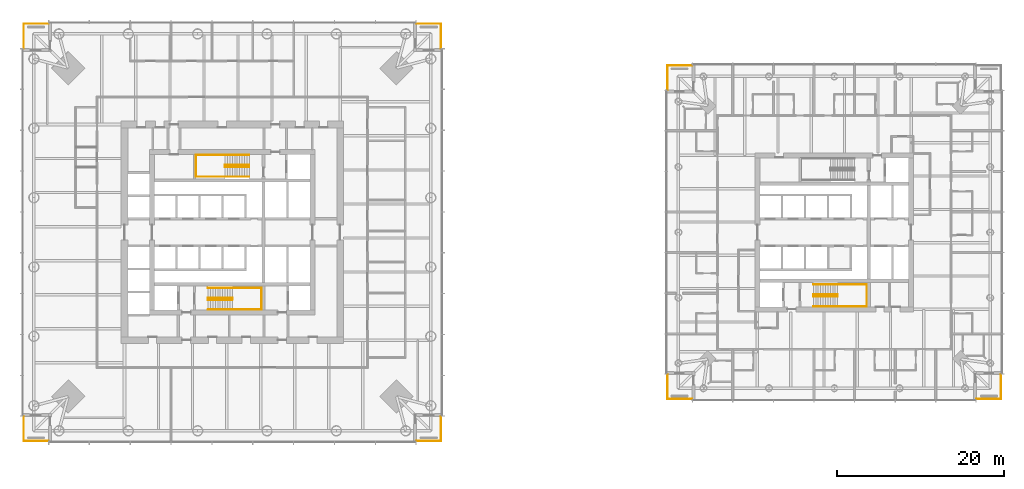
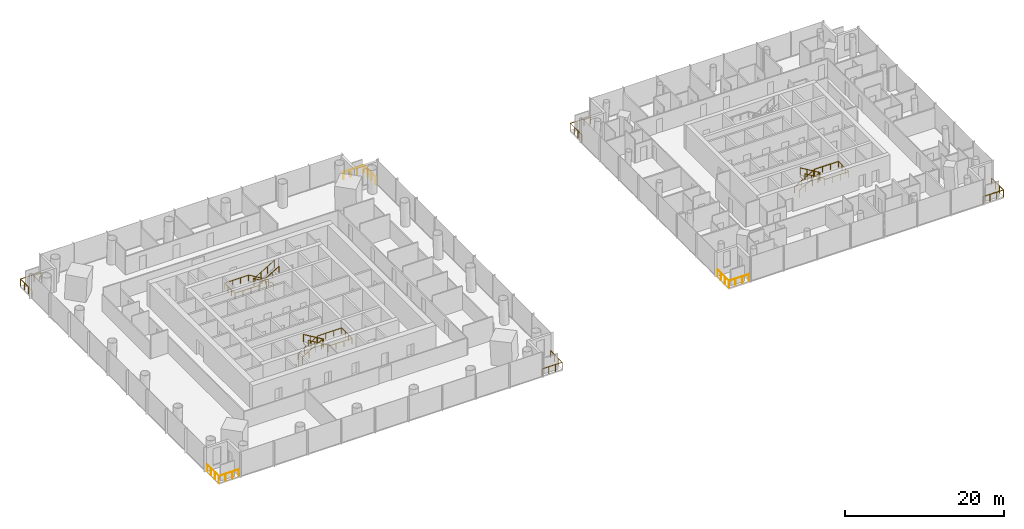
# One storey, part 19 of 20: 13 railings.
"""IFC4 building model written with IfcOpenShell, lengths in metres."""

from ifc_helpers import new_model, si_unit, direction, frame, origin, origin_2d, place, context, subcontext, project, spatial, circle, extrude, material, type_object, element, save


model = new_model("IFC4")

# Units and contexts
model_context = context("Model", 3, precision=1e-05, world=origin(), true_north=direction((0.0, 1.0)))
body_context = subcontext(model_context, "Body", "Model", "MODEL_VIEW")
ifc_project = project(units=[si_unit("LENGTHUNIT", "METRE"), si_unit("AREAUNIT", "SQUARE_METRE"), si_unit("VOLUMEUNIT", "CUBIC_METRE"), si_unit("PLANEANGLEUNIT", "RADIAN"), si_unit("MASSUNIT", "GRAM", prefix="KILO")], contexts=[model_context])

# Site, building, storey
site_placement = place(None, origin())
site = spatial("IfcSite", under=ifc_project, at=site_placement, CompositionType="ELEMENT")
building_placement = place(site_placement, origin())
building = spatial("IfcBuilding", under=site, at=building_placement, Name="Ostroluk Exchange", CompositionType="ELEMENT")
storey_placement = place(building_placement, frame((0.0, 0.0, 28.60009765625)))
storey = spatial("IfcBuildingStorey", under=building, at=storey_placement, Name="L06", CompositionType="ELEMENT", Elevation=28.60009765625)

# Railings
ifc_material_1 = material(Name="Stainless steel", Category="steel")
railing_type_1 = type_object("IfcRailingType", Name="Guard 1100 stainless steel", PredefinedType="GUARDRAIL", material=ifc_material_1)
railing_1_placement = place(storey_placement, frame((67.0, 21.050048828125, 0.0)))
element("IfcRailing", 1, at=railing_1_placement, inside=storey, type_object=railing_type_1, Name="Office tower SE balcony guard L06", PredefinedType="GUARDRAIL", context=body_context, shape_type="SweptSolid", body=[
    extrude(circle(Radius=0.02392578125, at=origin_2d()), frame((0.0, 0.0, 1.076171875), z_axis=(1.0, 0.0, 0.0), x_axis=(0.0, 1.0, 0.0)), (0.0, 0.0, 1.0), 2.949951171875),
    extrude(circle(Radius=0.02392578125, at=origin_2d()), frame((2.949951171875, 0.0, 1.076171875), z_axis=(0.0, 1.0, 0.0), x_axis=(-1.0, 0.0, 0.0)), (0.0, 0.0, 1.0), 2.949951171875),
    extrude(circle(Radius=0.02099609375, at=origin_2d()), origin(), (0.0, 0.0, 1.0), 1.052001953125),
    extrude(circle(Radius=0.02099609375, at=origin_2d()), frame((0.9833984375, 0.0, 0.0)), (0.0, 0.0, 1.0), 1.052001953125),
    extrude(circle(Radius=0.02099609375, at=origin_2d()), frame((1.966552734375, 0.0, 0.0)), (0.0, 0.0, 1.0), 1.052001953125),
    extrude(circle(Radius=0.02099609375, at=origin_2d()), frame((2.949951171875, 0.0, 0.0)), (0.0, 0.0, 1.0), 1.052001953125),
    extrude(circle(Radius=0.02099609375, at=origin_2d()), frame((2.949951171875, 0.9833984375, 0.0)), (0.0, 0.0, 1.0), 1.052001953125),
    extrude(circle(Radius=0.02099609375, at=origin_2d()), frame((2.949951171875, 1.966552734375, 0.0)), (0.0, 0.0, 1.0), 1.052001953125),
    extrude(circle(Radius=0.02099609375, at=origin_2d()), frame((2.949951171875, 2.949951171875, 0.0)), (0.0, 0.0, 1.0), 1.052001953125),
])
railing_2_placement = place(storey_placement, frame((67.0, 70.949951171875, 0.0)))
element("IfcRailing", 2, at=railing_2_placement, inside=storey, type_object=railing_type_1, Name="Office tower NE balcony guard L06", PredefinedType="GUARDRAIL", context=body_context, shape_type="SweptSolid", body=[
    extrude(circle(Radius=0.02392578125, at=origin_2d()), frame((0.0, 0.0, 1.076171875), z_axis=(1.0, 0.0, 0.0), x_axis=(0.0, 1.0, 0.0)), (0.0, 0.0, 1.0), 2.949951171875),
    extrude(circle(Radius=0.02392578125, at=origin_2d()), frame((2.949951171875, 0.0, 1.076171875), z_axis=(0.0, -1.0, 0.0), x_axis=(1.0, 0.0, 0.0)), (0.0, 0.0, 1.0), 2.949951171875),
    extrude(circle(Radius=0.02099609375, at=origin_2d()), origin(), (0.0, 0.0, 1.0), 1.052001953125),
    extrude(circle(Radius=0.02099609375, at=origin_2d()), frame((0.9833984375, 0.0, 0.0)), (0.0, 0.0, 1.0), 1.052001953125),
    extrude(circle(Radius=0.02099609375, at=origin_2d()), frame((1.966552734375, 0.0, 0.0)), (0.0, 0.0, 1.0), 1.052001953125),
    extrude(circle(Radius=0.02099609375, at=origin_2d()), frame((2.949951171875, 0.0, 0.0)), (0.0, 0.0, 1.0), 1.052001953125),
    extrude(circle(Radius=0.02099609375, at=origin_2d()), frame((2.949951171875, -0.9833984375, 0.0)), (0.0, 0.0, 1.0), 1.052001953125),
    extrude(circle(Radius=0.02099609375, at=origin_2d()), frame((2.949951171875, -1.966552734375, 0.0)), (0.0, 0.0, 1.0), 1.052001953125),
    extrude(circle(Radius=0.02099609375, at=origin_2d()), frame((2.949951171875, -2.949951171875, 0.0)), (0.0, 0.0, 1.0), 1.052001953125),
])
railing_3_placement = place(storey_placement, frame((23.0, 70.949951171875, 0.0)))
element("IfcRailing", 3, at=railing_3_placement, inside=storey, type_object=railing_type_1, Name="Office tower NW balcony guard L06", PredefinedType="GUARDRAIL", context=body_context, shape_type="SweptSolid", body=[
    extrude(circle(Radius=0.02392578125, at=origin_2d()), frame((0.0, 0.0, 1.076171875), z_axis=(-1.0, 0.0, 0.0), x_axis=(0.0, -1.0, 0.0)), (0.0, 0.0, 1.0), 2.949951171875),
    extrude(circle(Radius=0.02392578125, at=origin_2d()), frame((-2.949951171875, 0.0, 1.076171875), z_axis=(0.0, -1.0, 0.0), x_axis=(1.0, 0.0, 0.0)), (0.0, 0.0, 1.0), 2.949951171875),
    extrude(circle(Radius=0.02099609375, at=origin_2d()), origin(), (0.0, 0.0, 1.0), 1.052001953125),
    extrude(circle(Radius=0.02099609375, at=origin_2d()), frame((-0.9833984375, 0.0, 0.0)), (0.0, 0.0, 1.0), 1.052001953125),
    extrude(circle(Radius=0.02099609375, at=origin_2d()), frame((-1.966552734375, 0.0, 0.0)), (0.0, 0.0, 1.0), 1.052001953125),
    extrude(circle(Radius=0.02099609375, at=origin_2d()), frame((-2.949951171875, 0.0, 0.0)), (0.0, 0.0, 1.0), 1.052001953125),
    extrude(circle(Radius=0.02099609375, at=origin_2d()), frame((-2.949951171875, -0.9833984375, 0.0)), (0.0, 0.0, 1.0), 1.052001953125),
    extrude(circle(Radius=0.02099609375, at=origin_2d()), frame((-2.949951171875, -1.966552734375, 0.0)), (0.0, 0.0, 1.0), 1.052001953125),
    extrude(circle(Radius=0.02099609375, at=origin_2d()), frame((-2.949951171875, -2.949951171875, 0.0)), (0.0, 0.0, 1.0), 1.052001953125),
])
railing_4_placement = place(storey_placement, frame((23.0, 21.050048828125, 0.0)))
element("IfcRailing", 4, at=railing_4_placement, inside=storey, type_object=railing_type_1, Name="Office tower SW balcony guard L06", PredefinedType="GUARDRAIL", context=body_context, shape_type="SweptSolid", body=[
    extrude(circle(Radius=0.02392578125, at=origin_2d()), frame((0.0, 0.0, 1.076171875), z_axis=(-1.0, 0.0, 0.0), x_axis=(0.0, -1.0, 0.0)), (0.0, 0.0, 1.0), 2.949951171875),
    extrude(circle(Radius=0.02392578125, at=origin_2d()), frame((-2.949951171875, 0.0, 1.076171875), z_axis=(0.0, 1.0, 0.0), x_axis=(-1.0, 0.0, 0.0)), (0.0, 0.0, 1.0), 2.949951171875),
    extrude(circle(Radius=0.02099609375, at=origin_2d()), origin(), (0.0, 0.0, 1.0), 1.052001953125),
    extrude(circle(Radius=0.02099609375, at=origin_2d()), frame((-0.9833984375, 0.0, 0.0)), (0.0, 0.0, 1.0), 1.052001953125),
    extrude(circle(Radius=0.02099609375, at=origin_2d()), frame((-1.966552734375, 0.0, 0.0)), (0.0, 0.0, 1.0), 1.052001953125),
    extrude(circle(Radius=0.02099609375, at=origin_2d()), frame((-2.949951171875, 0.0, 0.0)), (0.0, 0.0, 1.0), 1.052001953125),
    extrude(circle(Radius=0.02099609375, at=origin_2d()), frame((-2.949951171875, 0.9833984375, 0.0)), (0.0, 0.0, 1.0), 1.052001953125),
    extrude(circle(Radius=0.02099609375, at=origin_2d()), frame((-2.949951171875, 1.966552734375, 0.0)), (0.0, 0.0, 1.0), 1.052001953125),
    extrude(circle(Radius=0.02099609375, at=origin_2d()), frame((-2.949951171875, 2.949951171875, 0.0)), (0.0, 0.0, 1.0), 1.052001953125),
])
railing_5_placement = place(storey_placement, frame((134.0, 26.050048828125, 0.0)))
element("IfcRailing", 5, at=railing_5_placement, inside=storey, type_object=railing_type_1, Name="Hotel tower SE balcony guard L06", PredefinedType="GUARDRAIL", context=body_context, shape_type="SweptSolid", body=[
    extrude(circle(Radius=0.02392578125, at=origin_2d()), frame((0.0, 0.0, 1.076171875), z_axis=(1.0, 0.0, 0.0), x_axis=(0.0, 1.0, 0.0)), (0.0, 0.0, 1.0), 2.949951171875),
    extrude(circle(Radius=0.02392578125, at=origin_2d()), frame((2.949951171875, 0.0, 1.076171875), z_axis=(0.0, 1.0, 0.0), x_axis=(-1.0, 0.0, 0.0)), (0.0, 0.0, 1.0), 2.949951171875),
    extrude(circle(Radius=0.02099609375, at=origin_2d()), origin(), (0.0, 0.0, 1.0), 1.052001953125),
    extrude(circle(Radius=0.02099609375, at=origin_2d()), frame((0.9833984375, 0.0, 0.0)), (0.0, 0.0, 1.0), 1.052001953125),
    extrude(circle(Radius=0.02099609375, at=origin_2d()), frame((1.966552734375, 0.0, 0.0)), (0.0, 0.0, 1.0), 1.052001953125),
    extrude(circle(Radius=0.02099609375, at=origin_2d()), frame((2.949951171875, 0.0, 0.0)), (0.0, 0.0, 1.0), 1.052001953125),
    extrude(circle(Radius=0.02099609375, at=origin_2d()), frame((2.949951171875, 0.9833984375, 0.0)), (0.0, 0.0, 1.0), 1.052001953125),
    extrude(circle(Radius=0.02099609375, at=origin_2d()), frame((2.949951171875, 1.966552734375, 0.0)), (0.0, 0.0, 1.0), 1.052001953125),
    extrude(circle(Radius=0.02099609375, at=origin_2d()), frame((2.949951171875, 2.949951171875, 0.0)), (0.0, 0.0, 1.0), 1.052001953125),
])
railing_6_placement = place(storey_placement, frame((100.0, 65.949951171875, 0.0)))
element("IfcRailing", 6, at=railing_6_placement, inside=storey, type_object=railing_type_1, Name="Hotel tower NW balcony guard L06", PredefinedType="GUARDRAIL", context=body_context, shape_type="SweptSolid", body=[
    extrude(circle(Radius=0.02392578125, at=origin_2d()), frame((0.0, 0.0, 1.076171875), z_axis=(-1.0, 0.0, 0.0), x_axis=(0.0, -1.0, 0.0)), (0.0, 0.0, 1.0), 2.949951171875),
    extrude(circle(Radius=0.02392578125, at=origin_2d()), frame((-2.949951171875, 0.0, 1.076171875), z_axis=(0.0, -1.0, 0.0), x_axis=(1.0, 0.0, 0.0)), (0.0, 0.0, 1.0), 2.949951171875),
    extrude(circle(Radius=0.02099609375, at=origin_2d()), origin(), (0.0, 0.0, 1.0), 1.052001953125),
    extrude(circle(Radius=0.02099609375, at=origin_2d()), frame((-0.9833984375, 0.0, 0.0)), (0.0, 0.0, 1.0), 1.052001953125),
    extrude(circle(Radius=0.02099609375, at=origin_2d()), frame((-1.966552734375, 0.0, 0.0)), (0.0, 0.0, 1.0), 1.052001953125),
    extrude(circle(Radius=0.02099609375, at=origin_2d()), frame((-2.949951171875, 0.0, 0.0)), (0.0, 0.0, 1.0), 1.052001953125),
    extrude(circle(Radius=0.02099609375, at=origin_2d()), frame((-2.949951171875, -0.9833984375, 0.0)), (0.0, 0.0, 1.0), 1.052001953125),
    extrude(circle(Radius=0.02099609375, at=origin_2d()), frame((-2.949951171875, -1.966552734375, 0.0)), (0.0, 0.0, 1.0), 1.052001953125),
    extrude(circle(Radius=0.02099609375, at=origin_2d()), frame((-2.949951171875, -2.949951171875, 0.0)), (0.0, 0.0, 1.0), 1.052001953125),
])
railing_7_placement = place(storey_placement, frame((100.0, 26.050048828125, 0.0)))
element("IfcRailing", 7, at=railing_7_placement, inside=storey, type_object=railing_type_1, Name="Hotel tower SW balcony guard L06", PredefinedType="GUARDRAIL", context=body_context, shape_type="SweptSolid", body=[
    extrude(circle(Radius=0.02392578125, at=origin_2d()), frame((0.0, 0.0, 1.076171875), z_axis=(-1.0, 0.0, 0.0), x_axis=(0.0, -1.0, 0.0)), (0.0, 0.0, 1.0), 2.949951171875),
    extrude(circle(Radius=0.02392578125, at=origin_2d()), frame((-2.949951171875, 0.0, 1.076171875), z_axis=(0.0, 1.0, 0.0), x_axis=(-1.0, 0.0, 0.0)), (0.0, 0.0, 1.0), 2.949951171875),
    extrude(circle(Radius=0.02099609375, at=origin_2d()), origin(), (0.0, 0.0, 1.0), 1.052001953125),
    extrude(circle(Radius=0.02099609375, at=origin_2d()), frame((-0.9833984375, 0.0, 0.0)), (0.0, 0.0, 1.0), 1.052001953125),
    extrude(circle(Radius=0.02099609375, at=origin_2d()), frame((-1.966552734375, 0.0, 0.0)), (0.0, 0.0, 1.0), 1.052001953125),
    extrude(circle(Radius=0.02099609375, at=origin_2d()), frame((-2.949951171875, 0.0, 0.0)), (0.0, 0.0, 1.0), 1.052001953125),
    extrude(circle(Radius=0.02099609375, at=origin_2d()), frame((-2.949951171875, 0.9833984375, 0.0)), (0.0, 0.0, 1.0), 1.052001953125),
    extrude(circle(Radius=0.02099609375, at=origin_2d()), frame((-2.949951171875, 1.966552734375, 0.0)), (0.0, 0.0, 1.0), 1.052001953125),
    extrude(circle(Radius=0.02099609375, at=origin_2d()), frame((-2.949951171875, 2.949951171875, 0.0)), (0.0, 0.0, 1.0), 1.052001953125),
])
ifc_material_2 = material(Name="Steel S355", Category="steel")
railing_type_2 = type_object("IfcRailingType", Name="Stair guard 1100", PredefinedType="GUARDRAIL", material=ifc_material_2)
railing_8_placement = place(storey_placement, frame((42.10009765625, 38.179931640625, 0.172607421875)))
element("IfcRailing", 8, at=railing_8_placement, inside=storey, type_object=railing_type_2, Name="Stair T1-S1 guard L06", PredefinedType="GUARDRAIL", context=body_context, shape_type="SweptSolid", body=[
    extrude(circle(Radius=0.02392578125, at=origin_2d()), frame((0.0, 0.0, 1.076171875), z_axis=(0.859141464434, 0.0, 0.511738159696), x_axis=(0.0, 1.0, 0.0)), (0.0, 0.0, 1.0), 3.375244140625),
    extrude(circle(Radius=0.02392578125, at=origin_2d()), frame((2.89990234375, 0.0, 2.80322265625), z_axis=(0.0, -1.0, 0.0), x_axis=(1.0, 0.0, 0.0)), (0.0, 0.0, 1.0), 0.260009765625),
    extrude(circle(Radius=0.02392578125, at=origin_2d()), frame((2.89990234375, -0.260009765625, 2.80322265625), z_axis=(0.0, 0.0, 1.0), x_axis=(1.0, 0.0, 0.0)), (0.0, 0.0, 1.0), 0.172607421875),
    extrude(circle(Radius=0.02392578125, at=origin_2d()), frame((2.89990234375, -0.260009765625, 2.97607421875), z_axis=(-0.859141464434, 0.0, 0.511738159696), x_axis=(0.0, -1.0, 0.0)), (0.0, 0.0, 1.0), 3.375244140625),
    extrude(circle(Radius=0.02099609375, at=origin_2d()), origin(), (0.0, 0.0, 1.0), 1.052001953125),
    extrude(circle(Radius=0.02099609375, at=origin_2d()), frame((0.966552734375, 0.0, 0.57568359375)), (0.0, 0.0, 1.0), 1.052001953125),
    extrude(circle(Radius=0.02099609375, at=origin_2d()), frame((1.933349609375, 0.0, 1.151611328125)), (0.0, 0.0, 1.0), 1.052001953125),
    extrude(circle(Radius=0.02099609375, at=origin_2d()), frame((2.89990234375, 0.0, 1.727294921875)), (0.0, 0.0, 1.0), 1.052001953125),
    extrude(circle(Radius=0.02099609375, at=origin_2d()), frame((2.89990234375, -0.260009765625, 1.727294921875)), (0.0, 0.0, 1.0), 1.052001953125),
    extrude(circle(Radius=0.02099609375, at=origin_2d()), frame((2.89990234375, -0.260009765625, 1.89990234375)), (0.0, 0.0, 1.0), 1.052001953125),
    extrude(circle(Radius=0.02099609375, at=origin_2d()), frame((1.933349609375, -0.260009765625, 2.4755859375)), (0.0, 0.0, 1.0), 1.052001953125),
    extrude(circle(Radius=0.02099609375, at=origin_2d()), frame((0.966552734375, -0.260009765625, 3.051513671875)), (0.0, 0.0, 1.0), 1.052001953125),
    extrude(circle(Radius=0.02099609375, at=origin_2d()), frame((0.0, -0.260009765625, 3.627197265625)), (0.0, 0.0, 1.0), 1.052001953125),
])
railing_9_placement = place(storey_placement, frame((47.030029296875, 54.080078125, 0.172607421875)))
element("IfcRailing", 9, at=railing_9_placement, inside=storey, type_object=railing_type_2, Name="Stair T1-S2 guard L06", PredefinedType="GUARDRAIL", context=body_context, shape_type="SweptSolid", body=[
    extrude(circle(Radius=0.02392578125, at=origin_2d()), frame((0.0, 0.0, 1.076171875), z_axis=(-0.859160404282, 0.0, 0.51170636083), x_axis=(0.0, -1.0, 0.0)), (0.0, 0.0, 1.0), 3.37548828125),
    extrude(circle(Radius=0.02392578125, at=origin_2d()), frame((-2.900146484375, 0.0, 2.80322265625), z_axis=(0.0, -1.0, 0.0), x_axis=(1.0, 0.0, 0.0)), (0.0, 0.0, 1.0), 0.260009765625),
    extrude(circle(Radius=0.02392578125, at=origin_2d()), frame((-2.900146484375, -0.260009765625, 2.80322265625), z_axis=(0.0, 0.0, 1.0), x_axis=(1.0, 0.0, 0.0)), (0.0, 0.0, 1.0), 0.172607421875),
    extrude(circle(Radius=0.02392578125, at=origin_2d()), frame((-2.900146484375, -0.260009765625, 2.97607421875), z_axis=(0.859160404282, 0.0, 0.51170636083), x_axis=(0.0, 1.0, 0.0)), (0.0, 0.0, 1.0), 3.37548828125),
    extrude(circle(Radius=0.02099609375, at=origin_2d()), origin(), (0.0, 0.0, 1.0), 1.052001953125),
    extrude(circle(Radius=0.02099609375, at=origin_2d()), frame((-0.966796875, 0.0, 0.57568359375)), (0.0, 0.0, 1.0), 1.052001953125),
    extrude(circle(Radius=0.02099609375, at=origin_2d()), frame((-1.933349609375, 0.0, 1.151611328125)), (0.0, 0.0, 1.0), 1.052001953125),
    extrude(circle(Radius=0.02099609375, at=origin_2d()), frame((-2.900146484375, 0.0, 1.727294921875)), (0.0, 0.0, 1.0), 1.052001953125),
    extrude(circle(Radius=0.02099609375, at=origin_2d()), frame((-2.900146484375, -0.260009765625, 1.727294921875)), (0.0, 0.0, 1.0), 1.052001953125),
    extrude(circle(Radius=0.02099609375, at=origin_2d()), frame((-2.900146484375, -0.260009765625, 1.89990234375)), (0.0, 0.0, 1.0), 1.052001953125),
    extrude(circle(Radius=0.02099609375, at=origin_2d()), frame((-1.933349609375, -0.260009765625, 2.4755859375)), (0.0, 0.0, 1.0), 1.052001953125),
    extrude(circle(Radius=0.02099609375, at=origin_2d()), frame((-0.966796875, -0.260009765625, 3.051513671875)), (0.0, 0.0, 1.0), 1.052001953125),
    extrude(circle(Radius=0.02099609375, at=origin_2d()), frame((0.0, -0.260009765625, 3.627197265625)), (0.0, 0.0, 1.0), 1.052001953125),
])
railing_10_placement = place(storey_placement, frame((114.5, 38.580078125, 0.172607421875)))
element("IfcRailing", 10, at=railing_10_placement, inside=storey, type_object=railing_type_2, Name="Stair T2-S1 guard L06", PredefinedType="GUARDRAIL", context=body_context, shape_type="SweptSolid", body=[
    extrude(circle(Radius=0.02392578125, at=origin_2d()), frame((0.0, 0.0, 1.076171875), z_axis=(0.859141464434, 0.0, 0.511738159696), x_axis=(0.0, 1.0, 0.0)), (0.0, 0.0, 1.0), 3.375244140625),
    extrude(circle(Radius=0.02392578125, at=origin_2d()), frame((2.89990234375, 0.0, 2.80322265625), z_axis=(0.0, -1.0, 0.0), x_axis=(1.0, 0.0, 0.0)), (0.0, 0.0, 1.0), 0.260009765625),
    extrude(circle(Radius=0.02392578125, at=origin_2d()), frame((2.89990234375, -0.260009765625, 2.80322265625), z_axis=(0.0, 0.0, 1.0), x_axis=(1.0, 0.0, 0.0)), (0.0, 0.0, 1.0), 0.172607421875),
    extrude(circle(Radius=0.02392578125, at=origin_2d()), frame((2.89990234375, -0.260009765625, 2.97607421875), z_axis=(-0.859141464434, 0.0, 0.511738159696), x_axis=(0.0, -1.0, 0.0)), (0.0, 0.0, 1.0), 3.375244140625),
    extrude(circle(Radius=0.02099609375, at=origin_2d()), origin(), (0.0, 0.0, 1.0), 1.052001953125),
    extrude(circle(Radius=0.02099609375, at=origin_2d()), frame((0.966552734375, 0.0, 0.57568359375)), (0.0, 0.0, 1.0), 1.052001953125),
    extrude(circle(Radius=0.02099609375, at=origin_2d()), frame((1.933349609375, 0.0, 1.151611328125)), (0.0, 0.0, 1.0), 1.052001953125),
    extrude(circle(Radius=0.02099609375, at=origin_2d()), frame((2.89990234375, 0.0, 1.727294921875)), (0.0, 0.0, 1.0), 1.052001953125),
    extrude(circle(Radius=0.02099609375, at=origin_2d()), frame((2.89990234375, -0.260009765625, 1.727294921875)), (0.0, 0.0, 1.0), 1.052001953125),
    extrude(circle(Radius=0.02099609375, at=origin_2d()), frame((2.89990234375, -0.260009765625, 1.89990234375)), (0.0, 0.0, 1.0), 1.052001953125),
    extrude(circle(Radius=0.02099609375, at=origin_2d()), frame((1.933349609375, -0.260009765625, 2.4755859375)), (0.0, 0.0, 1.0), 1.052001953125),
    extrude(circle(Radius=0.02099609375, at=origin_2d()), frame((0.966552734375, -0.260009765625, 3.051513671875)), (0.0, 0.0, 1.0), 1.052001953125),
    extrude(circle(Radius=0.02099609375, at=origin_2d()), frame((0.0, -0.260009765625, 3.627197265625)), (0.0, 0.0, 1.0), 1.052001953125),
])
ifc_material_3 = material(Name="Stainless steel", Category="steel")
railing_type_3 = type_object("IfcRailingType", Name="Stair handrail 900", PredefinedType="HANDRAIL", material=ifc_material_3)
railing_11_placement = place(storey_placement, frame((42.10009765625, 39.35009765625, 0.172607421875)))
element("IfcRailing", 11, at=railing_11_placement, inside=storey, type_object=railing_type_3, Name="Stair T1-S1 handrail L06", PredefinedType="HANDRAIL", context=body_context, shape_type="SweptSolid", body=[
    extrude(circle(Radius=0.02392578125, at=origin_2d()), frame((0.0, 0.0, 0.8759765625), z_axis=(0.859141464434, 0.0, 0.511738159696), x_axis=(0.0, 1.0, 0.0)), (0.0, 0.0, 1.0), 3.375244140625),
    extrude(circle(Radius=0.02392578125, at=origin_2d()), frame((2.89990234375, 0.0, 2.60302734375), z_axis=(1.0, 0.0, 0.0), x_axis=(0.0, 1.0, 0.0)), (0.0, 0.0, 1.0), 3.47998046875),
    extrude(circle(Radius=0.02392578125, at=origin_2d()), frame((6.3798828125, 0.0, 2.60302734375), z_axis=(0.0, -1.0, 0.0), x_axis=(1.0, 0.0, 0.0)), (0.0, 0.0, 1.0), 2.60009765625),
    extrude(circle(Radius=0.02392578125, at=origin_2d()), frame((6.3798828125, -2.60009765625, 2.60302734375), z_axis=(-1.0, 0.0, 0.0), x_axis=(0.0, -1.0, 0.0)), (0.0, 0.0, 1.0), 3.47998046875),
    extrude(circle(Radius=0.02392578125, at=origin_2d()), frame((2.89990234375, -2.60009765625, 2.60302734375), z_axis=(0.0, 0.0, 1.0), x_axis=(1.0, 0.0, 0.0)), (0.0, 0.0, 1.0), 0.172607421875),
    extrude(circle(Radius=0.02392578125, at=origin_2d()), frame((2.89990234375, -2.60009765625, 2.77587890625), z_axis=(-0.859141464434, 0.0, 0.511738159696), x_axis=(0.0, -1.0, 0.0)), (0.0, 0.0, 1.0), 3.375244140625),
    extrude(circle(Radius=0.02099609375, at=origin_2d()), origin(), (0.0, 0.0, 1.0), 0.851806640625),
    extrude(circle(Radius=0.02099609375, at=origin_2d()), frame((0.966552734375, 0.0, 0.57568359375)), (0.0, 0.0, 1.0), 0.851806640625),
    extrude(circle(Radius=0.02099609375, at=origin_2d()), frame((1.933349609375, 0.0, 1.151611328125)), (0.0, 0.0, 1.0), 0.851806640625),
    extrude(circle(Radius=0.02099609375, at=origin_2d()), frame((2.89990234375, 0.0, 1.727294921875)), (0.0, 0.0, 1.0), 0.851806640625),
    extrude(circle(Radius=0.02099609375, at=origin_2d()), frame((4.059814453125, 0.0, 1.727294921875)), (0.0, 0.0, 1.0), 0.851806640625),
    extrude(circle(Radius=0.02099609375, at=origin_2d()), frame((5.219970703125, 0.0, 1.727294921875)), (0.0, 0.0, 1.0), 0.851806640625),
    extrude(circle(Radius=0.02099609375, at=origin_2d()), frame((6.3798828125, 0.0, 1.727294921875)), (0.0, 0.0, 1.0), 0.851806640625),
    extrude(circle(Radius=0.02099609375, at=origin_2d()), frame((6.3798828125, -0.86669921875, 1.727294921875)), (0.0, 0.0, 1.0), 0.851806640625),
    extrude(circle(Radius=0.02099609375, at=origin_2d()), frame((6.3798828125, -1.7333984375, 1.727294921875)), (0.0, 0.0, 1.0), 0.851806640625),
    extrude(circle(Radius=0.02099609375, at=origin_2d()), frame((6.3798828125, -2.60009765625, 1.727294921875)), (0.0, 0.0, 1.0), 0.851806640625),
    extrude(circle(Radius=0.02099609375, at=origin_2d()), frame((5.219970703125, -2.60009765625, 1.727294921875)), (0.0, 0.0, 1.0), 0.851806640625),
    extrude(circle(Radius=0.02099609375, at=origin_2d()), frame((4.059814453125, -2.60009765625, 1.727294921875)), (0.0, 0.0, 1.0), 0.851806640625),
    extrude(circle(Radius=0.02099609375, at=origin_2d()), frame((2.89990234375, -2.60009765625, 1.727294921875)), (0.0, 0.0, 1.0), 0.851806640625),
    extrude(circle(Radius=0.02099609375, at=origin_2d()), frame((2.89990234375, -2.60009765625, 1.89990234375)), (0.0, 0.0, 1.0), 0.851806640625),
    extrude(circle(Radius=0.02099609375, at=origin_2d()), frame((1.933349609375, -2.60009765625, 2.4755859375)), (0.0, 0.0, 1.0), 0.851806640625),
    extrude(circle(Radius=0.02099609375, at=origin_2d()), frame((0.966552734375, -2.60009765625, 3.051513671875)), (0.0, 0.0, 1.0), 0.851806640625),
    extrude(circle(Radius=0.02099609375, at=origin_2d()), frame((0.0, -2.60009765625, 3.627197265625)), (0.0, 0.0, 1.0), 0.851806640625),
])
railing_12_placement = place(storey_placement, frame((47.030029296875, 55.25, 0.172607421875)))
element("IfcRailing", 12, at=railing_12_placement, inside=storey, type_object=railing_type_3, Name="Stair T1-S2 handrail L06", PredefinedType="HANDRAIL", context=body_context, shape_type="SweptSolid", body=[
    extrude(circle(Radius=0.02392578125, at=origin_2d()), frame((0.0, 0.0, 0.8759765625), z_axis=(-0.859160404282, 0.0, 0.51170636083), x_axis=(0.0, -1.0, 0.0)), (0.0, 0.0, 1.0), 3.37548828125),
    extrude(circle(Radius=0.02392578125, at=origin_2d()), frame((-2.900146484375, 0.0, 2.60302734375), z_axis=(-1.0, 0.0, 0.0), x_axis=(0.0, -1.0, 0.0)), (0.0, 0.0, 1.0), 3.47998046875),
    extrude(circle(Radius=0.02392578125, at=origin_2d()), frame((-6.380126953125, 0.0, 2.60302734375), z_axis=(0.0, -1.0, 0.0), x_axis=(1.0, 0.0, 0.0)), (0.0, 0.0, 1.0), 2.60009765625),
    extrude(circle(Radius=0.02392578125, at=origin_2d()), frame((-6.380126953125, -2.60009765625, 2.60302734375), z_axis=(1.0, 0.0, 0.0), x_axis=(0.0, 1.0, 0.0)), (0.0, 0.0, 1.0), 3.47998046875),
    extrude(circle(Radius=0.02392578125, at=origin_2d()), frame((-2.900146484375, -2.60009765625, 2.60302734375), z_axis=(0.0, 0.0, 1.0), x_axis=(1.0, 0.0, 0.0)), (0.0, 0.0, 1.0), 0.172607421875),
    extrude(circle(Radius=0.02392578125, at=origin_2d()), frame((-2.900146484375, -2.60009765625, 2.77587890625), z_axis=(0.859160404282, 0.0, 0.51170636083), x_axis=(0.0, 1.0, 0.0)), (0.0, 0.0, 1.0), 3.37548828125),
    extrude(circle(Radius=0.02099609375, at=origin_2d()), origin(), (0.0, 0.0, 1.0), 0.851806640625),
    extrude(circle(Radius=0.02099609375, at=origin_2d()), frame((-0.966796875, 0.0, 0.57568359375)), (0.0, 0.0, 1.0), 0.851806640625),
    extrude(circle(Radius=0.02099609375, at=origin_2d()), frame((-1.933349609375, 0.0, 1.151611328125)), (0.0, 0.0, 1.0), 0.851806640625),
    extrude(circle(Radius=0.02099609375, at=origin_2d()), frame((-2.900146484375, 0.0, 1.727294921875)), (0.0, 0.0, 1.0), 0.851806640625),
    extrude(circle(Radius=0.02099609375, at=origin_2d()), frame((-4.06005859375, 0.0, 1.727294921875)), (0.0, 0.0, 1.0), 0.851806640625),
    extrude(circle(Radius=0.02099609375, at=origin_2d()), frame((-5.22021484375, 0.0, 1.727294921875)), (0.0, 0.0, 1.0), 0.851806640625),
    extrude(circle(Radius=0.02099609375, at=origin_2d()), frame((-6.380126953125, 0.0, 1.727294921875)), (0.0, 0.0, 1.0), 0.851806640625),
    extrude(circle(Radius=0.02099609375, at=origin_2d()), frame((-6.380126953125, -0.86669921875, 1.727294921875)), (0.0, 0.0, 1.0), 0.851806640625),
    extrude(circle(Radius=0.02099609375, at=origin_2d()), frame((-6.380126953125, -1.7333984375, 1.727294921875)), (0.0, 0.0, 1.0), 0.851806640625),
    extrude(circle(Radius=0.02099609375, at=origin_2d()), frame((-6.380126953125, -2.60009765625, 1.727294921875)), (0.0, 0.0, 1.0), 0.851806640625),
    extrude(circle(Radius=0.02099609375, at=origin_2d()), frame((-5.22021484375, -2.60009765625, 1.727294921875)), (0.0, 0.0, 1.0), 0.851806640625),
    extrude(circle(Radius=0.02099609375, at=origin_2d()), frame((-4.06005859375, -2.60009765625, 1.727294921875)), (0.0, 0.0, 1.0), 0.851806640625),
    extrude(circle(Radius=0.02099609375, at=origin_2d()), frame((-2.900146484375, -2.60009765625, 1.727294921875)), (0.0, 0.0, 1.0), 0.851806640625),
    extrude(circle(Radius=0.02099609375, at=origin_2d()), frame((-2.900146484375, -2.60009765625, 1.89990234375)), (0.0, 0.0, 1.0), 0.851806640625),
    extrude(circle(Radius=0.02099609375, at=origin_2d()), frame((-1.933349609375, -2.60009765625, 2.4755859375)), (0.0, 0.0, 1.0), 0.851806640625),
    extrude(circle(Radius=0.02099609375, at=origin_2d()), frame((-0.966796875, -2.60009765625, 3.051513671875)), (0.0, 0.0, 1.0), 0.851806640625),
    extrude(circle(Radius=0.02099609375, at=origin_2d()), frame((0.0, -2.60009765625, 3.627197265625)), (0.0, 0.0, 1.0), 0.851806640625),
])
railing_13_placement = place(storey_placement, frame((114.5, 39.75, 0.172607421875)))
element("IfcRailing", 13, at=railing_13_placement, inside=storey, type_object=railing_type_3, Name="Stair T2-S1 handrail L06", PredefinedType="HANDRAIL", context=body_context, shape_type="SweptSolid", body=[
    extrude(circle(Radius=0.02392578125, at=origin_2d()), frame((0.0, 0.0, 0.8759765625), z_axis=(0.859141464434, 0.0, 0.511738159696), x_axis=(0.0, 1.0, 0.0)), (0.0, 0.0, 1.0), 3.375244140625),
    extrude(circle(Radius=0.02392578125, at=origin_2d()), frame((2.89990234375, 0.0, 2.60302734375), z_axis=(1.0, 0.0, 0.0), x_axis=(0.0, 1.0, 0.0)), (0.0, 0.0, 1.0), 3.47998046875),
    extrude(circle(Radius=0.02392578125, at=origin_2d()), frame((6.3798828125, 0.0, 2.60302734375), z_axis=(0.0, -1.0, 0.0), x_axis=(1.0, 0.0, 0.0)), (0.0, 0.0, 1.0), 2.60009765625),
    extrude(circle(Radius=0.02392578125, at=origin_2d()), frame((6.3798828125, -2.60009765625, 2.60302734375), z_axis=(-1.0, 0.0, 0.0), x_axis=(0.0, -1.0, 0.0)), (0.0, 0.0, 1.0), 3.47998046875),
    extrude(circle(Radius=0.02392578125, at=origin_2d()), frame((2.89990234375, -2.60009765625, 2.60302734375), z_axis=(0.0, 0.0, 1.0), x_axis=(1.0, 0.0, 0.0)), (0.0, 0.0, 1.0), 0.172607421875),
    extrude(circle(Radius=0.02392578125, at=origin_2d()), frame((2.89990234375, -2.60009765625, 2.77587890625), z_axis=(-0.859141464434, 0.0, 0.511738159696), x_axis=(0.0, -1.0, 0.0)), (0.0, 0.0, 1.0), 3.375244140625),
    extrude(circle(Radius=0.02099609375, at=origin_2d()), origin(), (0.0, 0.0, 1.0), 0.851806640625),
    extrude(circle(Radius=0.02099609375, at=origin_2d()), frame((0.966552734375, 0.0, 0.57568359375)), (0.0, 0.0, 1.0), 0.851806640625),
    extrude(circle(Radius=0.02099609375, at=origin_2d()), frame((1.933349609375, 0.0, 1.151611328125)), (0.0, 0.0, 1.0), 0.851806640625),
    extrude(circle(Radius=0.02099609375, at=origin_2d()), frame((2.89990234375, 0.0, 1.727294921875)), (0.0, 0.0, 1.0), 0.851806640625),
    extrude(circle(Radius=0.02099609375, at=origin_2d()), frame((4.059814453125, 0.0, 1.727294921875)), (0.0, 0.0, 1.0), 0.851806640625),
    extrude(circle(Radius=0.02099609375, at=origin_2d()), frame((5.219970703125, 0.0, 1.727294921875)), (0.0, 0.0, 1.0), 0.851806640625),
    extrude(circle(Radius=0.02099609375, at=origin_2d()), frame((6.3798828125, 0.0, 1.727294921875)), (0.0, 0.0, 1.0), 0.851806640625),
    extrude(circle(Radius=0.02099609375, at=origin_2d()), frame((6.3798828125, -0.86669921875, 1.727294921875)), (0.0, 0.0, 1.0), 0.851806640625),
    extrude(circle(Radius=0.02099609375, at=origin_2d()), frame((6.3798828125, -1.7333984375, 1.727294921875)), (0.0, 0.0, 1.0), 0.851806640625),
    extrude(circle(Radius=0.02099609375, at=origin_2d()), frame((6.3798828125, -2.60009765625, 1.727294921875)), (0.0, 0.0, 1.0), 0.851806640625),
    extrude(circle(Radius=0.02099609375, at=origin_2d()), frame((5.219970703125, -2.60009765625, 1.727294921875)), (0.0, 0.0, 1.0), 0.851806640625),
    extrude(circle(Radius=0.02099609375, at=origin_2d()), frame((4.059814453125, -2.60009765625, 1.727294921875)), (0.0, 0.0, 1.0), 0.851806640625),
    extrude(circle(Radius=0.02099609375, at=origin_2d()), frame((2.89990234375, -2.60009765625, 1.727294921875)), (0.0, 0.0, 1.0), 0.851806640625),
    extrude(circle(Radius=0.02099609375, at=origin_2d()), frame((2.89990234375, -2.60009765625, 1.89990234375)), (0.0, 0.0, 1.0), 0.851806640625),
    extrude(circle(Radius=0.02099609375, at=origin_2d()), frame((1.933349609375, -2.60009765625, 2.4755859375)), (0.0, 0.0, 1.0), 0.851806640625),
    extrude(circle(Radius=0.02099609375, at=origin_2d()), frame((0.966552734375, -2.60009765625, 3.051513671875)), (0.0, 0.0, 1.0), 0.851806640625),
    extrude(circle(Radius=0.02099609375, at=origin_2d()), frame((0.0, -2.60009765625, 3.627197265625)), (0.0, 0.0, 1.0), 0.851806640625),
])

save(model, "model.ifc")
